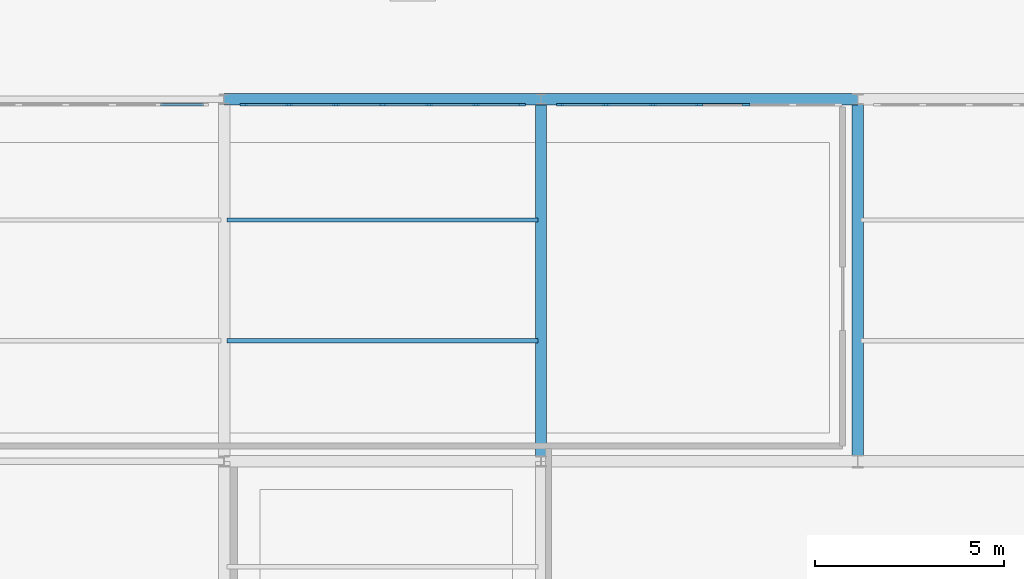
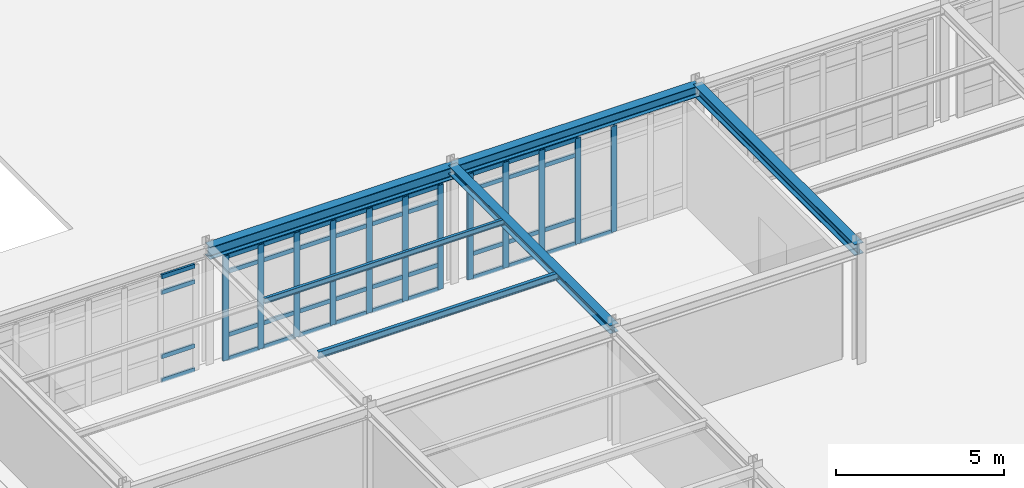
# One storey, part 34 of 101: 53 members, 6 beams, 3 elements without a shape of their own.
"""IFC4 building model written with IfcOpenShell, lengths in metres."""

from ifc_helpers import new_model, si_unit, derived_unit, direction, frame, origin, origin_2d, place, context, subcontext, project, spatial, rectangle, i_section, extrude, material, layer, layer_set, material_profile, profile_set, type_object, element, aggregate, save


model = new_model("IFC4")

# Units and contexts
model_context = context("Model", 3, precision=1e-05, world=origin(), true_north=direction((0.0, 1.0)))
body_context = subcontext(model_context, "Body", "Model", "MODEL_VIEW")
ifc_project = project(units=[si_unit("LENGTHUNIT", "METRE"), si_unit("AREAUNIT", "SQUARE_METRE"), si_unit("VOLUMEUNIT", "CUBIC_METRE"), si_unit("PLANEANGLEUNIT", "RADIAN"), si_unit("MASSUNIT", "GRAM", prefix="KILO"), derived_unit("THERMALTRANSMITTANCEUNIT", [(si_unit("POWERUNIT", "WATT"), 1), (si_unit("AREAUNIT", "SQUARE_METRE"), -1), (si_unit("THERMODYNAMICTEMPERATUREUNIT", "KELVIN"), -1)])], contexts=[model_context])

# Site, building, storey
site_placement = place(None, origin())
site = spatial("IfcSite", under=ifc_project, at=site_placement, CompositionType="ELEMENT")
building_placement = place(site_placement, origin())
building = spatial("IfcBuilding", under=site, at=building_placement, Name="Yasenodar Specialist Clinic", CompositionType="ELEMENT")
storey_placement = place(building_placement, origin())
storey = spatial("IfcBuildingStorey", under=building, at=storey_placement, Name="L00", CompositionType="ELEMENT", Elevation=0.0)

# Beams
ifc_material_1 = material(Name="Steel S355", Category="steel")
ifc_material_profile_1 = material_profile(ifc_material_1, i_section(OverallWidth=0.300048828125, OverallDepth=0.389892578125, WebThickness=0.010986328125, FlangeThickness=0.01904296875, FilletRadius=0.027099609375, at=origin_2d()), Name="HEA 400")
ifc_profile_set_1 = profile_set([ifc_material_profile_1], Name="Steel S355")
beam_type_1 = type_object("IfcBeamType", Name="BM-HEA400", PredefinedType="BEAM", material=ifc_profile_set_1)
beam_1_placement = place(storey_placement, frame((113.39990234375, 34.800048828125, 4.054931640625), z_axis=(1.0, 0.0, 0.0), x_axis=(0.0, 1.0, 0.0)))
element("IfcBeam", 1, at=beam_1_placement, inside=storey, type_object=beam_type_1, Name="L00 Primary E-W Girder", PredefinedType="BEAM", context=body_context, shape_type="SweptSolid", body=[
    extrude(i_section(OverallWidth=0.300048828125, OverallDepth=0.389892578125, WebThickness=0.010986328125, FlangeThickness=0.01904296875, FilletRadius=0.027099609375, at=origin_2d()), origin(), (0.0, 0.0, 1.0), 8.400146484375),
])
ifc_material_profile_2 = material_profile(ifc_material_1, i_section(OverallWidth=0.300048828125, OverallDepth=0.43994140625, WebThickness=0.011474609375, FlangeThickness=0.02099609375, FilletRadius=0.027099609375, at=origin_2d()), Name="HEA 450")
ifc_profile_set_2 = profile_set([ifc_material_profile_2], Name="Steel S355")
beam_type_2 = type_object("IfcBeamType", Name="BM-HEA450", PredefinedType="BEAM", material=ifc_profile_set_2)
beam_2_placement = place(storey_placement, frame((105.0, 34.800048828125, 4.030029296875), z_axis=(1.0, 0.0, 0.0), x_axis=(0.0, 1.0, 0.0)))
element("IfcBeam", 2, at=beam_2_placement, inside=storey, type_object=beam_type_2, Name="L00 Primary E-W Girder", PredefinedType="BEAM", context=body_context, shape_type="SweptSolid", body=[
    extrude(i_section(OverallWidth=0.300048828125, OverallDepth=0.43994140625, WebThickness=0.011474609375, FlangeThickness=0.02099609375, FilletRadius=0.027099609375, at=origin_2d()), origin(), (0.0, 0.0, 1.0), 8.39990234375),
])
ifc_material_profile_3 = material_profile(ifc_material_1, i_section(OverallWidth=0.300048828125, OverallDepth=0.300048828125, WebThickness=0.010986328125, FlangeThickness=0.01904296875, FilletRadius=0.027099609375, at=origin_2d()), Name="HEB 300")
ifc_profile_set_3 = profile_set([ifc_material_profile_3], Name="Steel S355")
beam_type_3 = type_object("IfcBeamType", Name="BM-HEB300", PredefinedType="BEAM", material=ifc_profile_set_3)
beam_3_placement = place(storey_placement, frame((113.39990234375, 25.199951171875, 4.10009765625), z_axis=(0.0, 1.0, 0.0), x_axis=(-1.0, 0.0, 0.0)))
element("IfcBeam", 3, at=beam_3_placement, inside=storey, type_object=beam_type_3, Name="L00 Primary N-S Girder", PredefinedType="BEAM", context=body_context, shape_type="SweptSolid", body=[
    extrude(i_section(OverallWidth=0.300048828125, OverallDepth=0.300048828125, WebThickness=0.010986328125, FlangeThickness=0.01904296875, FilletRadius=0.027099609375, at=origin_2d()), origin(), (0.0, 0.0, 1.0), 9.60009765625),
])
ifc_material_profile_4 = material_profile(ifc_material_1, i_section(OverallWidth=0.300048828125, OverallDepth=0.39990234375, WebThickness=0.013427734375, FlangeThickness=0.02392578125, FilletRadius=0.027099609375, at=origin_2d()), Name="HEB 400")
ifc_profile_set_4 = profile_set([ifc_material_profile_4], Name="Steel S355")
beam_type_4 = type_object("IfcBeamType", Name="BM-HEB400", PredefinedType="BEAM", material=ifc_profile_set_4)
beam_4_placement = place(storey_placement, frame((121.800048828125, 25.199951171875, 4.050048828125), z_axis=(0.0, 1.0, 0.0), x_axis=(-1.0, 0.0, 0.0)))
element("IfcBeam", 4, at=beam_4_placement, inside=storey, type_object=beam_type_4, Name="L00 Primary N-S Girder", PredefinedType="BEAM", context=body_context, shape_type="SweptSolid", body=[
    extrude(i_section(OverallWidth=0.300048828125, OverallDepth=0.39990234375, WebThickness=0.013427734375, FlangeThickness=0.02392578125, FilletRadius=0.027099609375, at=origin_2d()), origin(), (0.0, 0.0, 1.0), 9.60009765625),
])

# Curtain wall, members
ifc_material_2 = material(Name="Bronze Anodized Aluminium and Triple Low-E Glass", Category="aluminium")
ifc_layer = layer(ifc_material_2, 0.178955078125)
ifc_layer_set = layer_set([ifc_layer], Name="Bronze Anodized Aluminium and Triple Low-E Glass")
curtain_wall_type = type_object("IfcCurtainWallType", Name="CW-SYS-02", PredefinedType="USERDEFINED", material=ifc_layer_set)
curtain_wall_1_placement = place(storey_placement, origin())
curtain_wall_1 = element("IfcCurtainWall", 5, at=curtain_wall_1_placement, inside=storey, type_object=curtain_wall_type, Name="L00 Unitised Curtain Wall 082", ObjectType="UNITISED CURTAIN WALL", PredefinedType="USERDEFINED")
ifc_material_3 = material(Name="Bronze Anodized Aluminium", Category="aluminium")
ifc_material_profile_5 = material_profile(ifc_material_3, rectangle(XDim=0.070068359375, YDim=0.199951171875, at=origin_2d()), Name="CW-MULL 70x200")
ifc_profile_set_5 = profile_set([ifc_material_profile_5], Name="Bronze Anodized Aluminium")
member_type_1 = type_object("IfcMemberType", Name="CW-MULL-200", PredefinedType="MULLION", material=ifc_profile_set_5)
member_1_placement = place(storey_placement, frame((105.514892578125, 34.64990234375, 0.0), z_axis=(0.0, 0.0, 1.0), x_axis=(0.0, 1.0, 0.0)))
member_1 = element("IfcMember", 6, at=member_1_placement, type_object=member_type_1, Name="CW-02 mullion 1", PredefinedType="MULLION", context=body_context, shape_type="SweptSolid", body=[
    extrude(rectangle(XDim=0.070068359375, YDim=0.199951171875, at=origin_2d()), origin(), (0.0, 0.0, 1.0), 3.7880859375),
])
member_2_placement = place(storey_placement, frame((106.719970703125, 34.64990234375, 0.0), z_axis=(0.0, 0.0, 1.0), x_axis=(0.0, 1.0, 0.0)))
member_2 = element("IfcMember", 7, at=member_2_placement, type_object=member_type_1, Name="CW-02 mullion 2", PredefinedType="MULLION", context=body_context, shape_type="SweptSolid", body=[
    extrude(rectangle(XDim=0.070068359375, YDim=0.199951171875, at=origin_2d()), origin(), (0.0, 0.0, 1.0), 3.7880859375),
])
member_3_placement = place(storey_placement, frame((107.9599609375, 34.64990234375, 0.0), z_axis=(0.0, 0.0, 1.0), x_axis=(0.0, 1.0, 0.0)))
member_3 = element("IfcMember", 8, at=member_3_placement, type_object=member_type_1, Name="CW-02 mullion 3", PredefinedType="MULLION", context=body_context, shape_type="SweptSolid", body=[
    extrude(rectangle(XDim=0.070068359375, YDim=0.199951171875, at=origin_2d()), origin(), (0.0, 0.0, 1.0), 3.7880859375),
])
member_4_placement = place(storey_placement, frame((109.199951171875, 34.64990234375, 0.0), z_axis=(0.0, 0.0, 1.0), x_axis=(0.0, 1.0, 0.0)))
member_4 = element("IfcMember", 9, at=member_4_placement, type_object=member_type_1, Name="CW-02 mullion 4", PredefinedType="MULLION", context=body_context, shape_type="SweptSolid", body=[
    extrude(rectangle(XDim=0.070068359375, YDim=0.199951171875, at=origin_2d()), origin(), (0.0, 0.0, 1.0), 3.7880859375),
])
member_5_placement = place(storey_placement, frame((110.43994140625, 34.64990234375, 0.0), z_axis=(0.0, 0.0, 1.0), x_axis=(0.0, 1.0, 0.0)))
member_5 = element("IfcMember", 10, at=member_5_placement, type_object=member_type_1, Name="CW-02 mullion 5", PredefinedType="MULLION", context=body_context, shape_type="SweptSolid", body=[
    extrude(rectangle(XDim=0.070068359375, YDim=0.199951171875, at=origin_2d()), origin(), (0.0, 0.0, 1.0), 3.7880859375),
])
member_6_placement = place(storey_placement, frame((111.679931640625, 34.64990234375, 0.0), z_axis=(0.0, 0.0, 1.0), x_axis=(0.0, 1.0, 0.0)))
member_6 = element("IfcMember", 11, at=member_6_placement, type_object=member_type_1, Name="CW-02 mullion 6", PredefinedType="MULLION", context=body_context, shape_type="SweptSolid", body=[
    extrude(rectangle(XDim=0.070068359375, YDim=0.199951171875, at=origin_2d()), origin(), (0.0, 0.0, 1.0), 3.7880859375),
])
member_7_placement = place(storey_placement, frame((112.885009765625, 34.64990234375, 0.0), z_axis=(0.0, 0.0, 1.0), x_axis=(0.0, 1.0, 0.0)))
member_7 = element("IfcMember", 12, at=member_7_placement, type_object=member_type_1, Name="CW-02 mullion 7", PredefinedType="MULLION", context=body_context, shape_type="SweptSolid", body=[
    extrude(rectangle(XDim=0.070068359375, YDim=0.199951171875, at=origin_2d()), origin(), (0.0, 0.0, 1.0), 3.7880859375),
])

curtain_wall_2_placement = place(storey_placement, origin())
curtain_wall_2 = element("IfcCurtainWall", 13, at=curtain_wall_2_placement, inside=storey, type_object=curtain_wall_type, Name="L00 Unitised Curtain Wall 083", ObjectType="UNITISED CURTAIN WALL", PredefinedType="USERDEFINED")
member_8_placement = place(storey_placement, frame((113.9150390625, 34.64990234375, 0.0), z_axis=(0.0, 0.0, 1.0), x_axis=(0.0, 1.0, 0.0)))
member_8 = element("IfcMember", 14, at=member_8_placement, type_object=member_type_1, Name="CW-02 mullion 1", PredefinedType="MULLION", context=body_context, shape_type="SweptSolid", body=[
    extrude(rectangle(XDim=0.070068359375, YDim=0.199951171875, at=origin_2d()), origin(), (0.0, 0.0, 1.0), 3.837890625),
])
member_9_placement = place(storey_placement, frame((115.1201171875, 34.64990234375, 0.0), z_axis=(0.0, 0.0, 1.0), x_axis=(0.0, 1.0, 0.0)))
member_9 = element("IfcMember", 15, at=member_9_placement, type_object=member_type_1, Name="CW-02 mullion 2", PredefinedType="MULLION", context=body_context, shape_type="SweptSolid", body=[
    extrude(rectangle(XDim=0.070068359375, YDim=0.199951171875, at=origin_2d()), origin(), (0.0, 0.0, 1.0), 3.837890625),
])
member_10_placement = place(storey_placement, frame((116.360107421875, 34.64990234375, 0.0), z_axis=(0.0, 0.0, 1.0), x_axis=(0.0, 1.0, 0.0)))
member_10 = element("IfcMember", 16, at=member_10_placement, type_object=member_type_1, Name="CW-02 mullion 3", PredefinedType="MULLION", context=body_context, shape_type="SweptSolid", body=[
    extrude(rectangle(XDim=0.070068359375, YDim=0.199951171875, at=origin_2d()), origin(), (0.0, 0.0, 1.0), 3.837890625),
])
member_11_placement = place(storey_placement, frame((117.60009765625, 34.64990234375, 0.0), z_axis=(0.0, 0.0, 1.0), x_axis=(0.0, 1.0, 0.0)))
member_11 = element("IfcMember", 17, at=member_11_placement, type_object=member_type_1, Name="CW-02 mullion 4", PredefinedType="MULLION", context=body_context, shape_type="SweptSolid", body=[
    extrude(rectangle(XDim=0.070068359375, YDim=0.199951171875, at=origin_2d()), origin(), (0.0, 0.0, 1.0), 3.837890625),
])
member_12_placement = place(storey_placement, frame((118.840087890625, 34.64990234375, 0.0), z_axis=(0.0, 0.0, 1.0), x_axis=(0.0, 1.0, 0.0)))
member_12 = element("IfcMember", 18, at=member_12_placement, type_object=member_type_1, Name="CW-02 mullion 5", PredefinedType="MULLION", context=body_context, shape_type="SweptSolid", body=[
    extrude(rectangle(XDim=0.070068359375, YDim=0.199951171875, at=origin_2d()), origin(), (0.0, 0.0, 1.0), 3.837890625),
])

curtain_wall_3_placement = place(storey_placement, origin())
curtain_wall_3 = element("IfcCurtainWall", 19, at=curtain_wall_3_placement, inside=storey, type_object=curtain_wall_type, Name="L00 Unitised Curtain Wall 081", ObjectType="UNITISED CURTAIN WALL", PredefinedType="USERDEFINED")
ifc_material_profile_6 = material_profile(ifc_material_3, rectangle(XDim=0.070068359375, YDim=0.14990234375, at=origin_2d()), Name="CW-TRAN 70x150")
ifc_profile_set_6 = profile_set([ifc_material_profile_6], Name="Bronze Anodized Aluminium")
member_type_2 = type_object("IfcMemberType", Name="CW-TRAN-150", PredefinedType="USERDEFINED", material=ifc_profile_set_6)
member_13_placement = place(storey_placement, frame((103.31494140625, 34.64990234375, 0.034912109375), z_axis=(1.0, 0.0, 0.0), x_axis=(0.0, 1.0, 0.0)))
member_13 = element("IfcMember", 20, at=member_13_placement, type_object=member_type_2, Name="CW-02 transom 6.1", ObjectType="TRANSOM", PredefinedType="USERDEFINED", context=body_context, shape_type="SweptSolid", body=[
    extrude(rectangle(XDim=0.070068359375, YDim=0.14990234375, at=origin_2d()), origin(), (0.0, 0.0, 1.0), 1.135009765625),
])
member_14_placement = place(storey_placement, frame((103.31494140625, 34.64990234375, 0.89990234375), z_axis=(1.0, 0.0, 0.0), x_axis=(0.0, 1.0, 0.0)))
member_14 = element("IfcMember", 21, at=member_14_placement, type_object=member_type_2, Name="CW-02 transom 6.2", ObjectType="TRANSOM", PredefinedType="USERDEFINED", context=body_context, shape_type="SweptSolid", body=[
    extrude(rectangle(XDim=0.070068359375, YDim=0.14990234375, at=origin_2d()), origin(), (0.0, 0.0, 1.0), 1.135009765625),
])
member_15_placement = place(storey_placement, frame((103.31494140625, 34.64990234375, 3.22802734375), z_axis=(1.0, 0.0, 0.0), x_axis=(0.0, 1.0, 0.0)))
member_15 = element("IfcMember", 22, at=member_15_placement, type_object=member_type_2, Name="CW-02 transom 6.3", ObjectType="TRANSOM", PredefinedType="USERDEFINED", context=body_context, shape_type="SweptSolid", body=[
    extrude(rectangle(XDim=0.070068359375, YDim=0.14990234375, at=origin_2d()), origin(), (0.0, 0.0, 1.0), 1.135009765625),
])
member_16_placement = place(storey_placement, frame((103.31494140625, 34.64990234375, 3.79296875), z_axis=(1.0, 0.0, 0.0), x_axis=(0.0, 1.0, 0.0)))
member_16 = element("IfcMember", 23, at=member_16_placement, type_object=member_type_2, Name="CW-02 transom 6.4", ObjectType="TRANSOM", PredefinedType="USERDEFINED", context=body_context, shape_type="SweptSolid", body=[
    extrude(rectangle(XDim=0.070068359375, YDim=0.14990234375, at=origin_2d()), origin(), (0.0, 0.0, 1.0), 1.135009765625),
])
aggregate(curtain_wall_3, [member_13, member_14, member_15, member_16])

# Member
member_17_placement = place(storey_placement, frame((105.550048828125, 34.64990234375, 0.034912109375), z_axis=(1.0, 0.0, 0.0), x_axis=(0.0, 1.0, 0.0)))
member_17 = element("IfcMember", 24, at=member_17_placement, type_object=member_type_2, Name="CW-02 transom 1.1", ObjectType="TRANSOM", PredefinedType="USERDEFINED", context=body_context, shape_type="SweptSolid", body=[
    extrude(rectangle(XDim=0.070068359375, YDim=0.14990234375, at=origin_2d()), origin(), (0.0, 0.0, 1.0), 1.135009765625),
])

member_18_placement = place(storey_placement, frame((105.550048828125, 34.64990234375, 0.89990234375), z_axis=(1.0, 0.0, 0.0), x_axis=(0.0, 1.0, 0.0)))
member_18 = element("IfcMember", 25, at=member_18_placement, type_object=member_type_2, Name="CW-02 transom 1.2", ObjectType="TRANSOM", PredefinedType="USERDEFINED", context=body_context, shape_type="SweptSolid", body=[
    extrude(rectangle(XDim=0.070068359375, YDim=0.14990234375, at=origin_2d()), origin(), (0.0, 0.0, 1.0), 1.135009765625),
])

member_19_placement = place(storey_placement, frame((105.550048828125, 34.64990234375, 3.18798828125), z_axis=(1.0, 0.0, 0.0), x_axis=(0.0, 1.0, 0.0)))
member_19 = element("IfcMember", 26, at=member_19_placement, type_object=member_type_2, Name="CW-02 transom 1.3", ObjectType="TRANSOM", PredefinedType="USERDEFINED", context=body_context, shape_type="SweptSolid", body=[
    extrude(rectangle(XDim=0.070068359375, YDim=0.14990234375, at=origin_2d()), origin(), (0.0, 0.0, 1.0), 1.135009765625),
])

member_20_placement = place(storey_placement, frame((105.550048828125, 34.64990234375, 3.7529296875), z_axis=(1.0, 0.0, 0.0), x_axis=(0.0, 1.0, 0.0)))
member_20 = element("IfcMember", 27, at=member_20_placement, type_object=member_type_2, Name="CW-02 transom 1.4", ObjectType="TRANSOM", PredefinedType="USERDEFINED", context=body_context, shape_type="SweptSolid", body=[
    extrude(rectangle(XDim=0.070068359375, YDim=0.14990234375, at=origin_2d()), origin(), (0.0, 0.0, 1.0), 1.135009765625),
])

member_21_placement = place(storey_placement, frame((106.7548828125, 34.64990234375, 0.034912109375), z_axis=(1.0, 0.0, 0.0), x_axis=(0.0, 1.0, 0.0)))
member_21 = element("IfcMember", 28, at=member_21_placement, type_object=member_type_2, Name="CW-02 transom 2.1", ObjectType="TRANSOM", PredefinedType="USERDEFINED", context=body_context, shape_type="SweptSolid", body=[
    extrude(rectangle(XDim=0.070068359375, YDim=0.14990234375, at=origin_2d()), origin(), (0.0, 0.0, 1.0), 1.170166015625),
])

member_22_placement = place(storey_placement, frame((106.7548828125, 34.64990234375, 0.89990234375), z_axis=(1.0, 0.0, 0.0), x_axis=(0.0, 1.0, 0.0)))
member_22 = element("IfcMember", 29, at=member_22_placement, type_object=member_type_2, Name="CW-02 transom 2.2", ObjectType="TRANSOM", PredefinedType="USERDEFINED", context=body_context, shape_type="SweptSolid", body=[
    extrude(rectangle(XDim=0.070068359375, YDim=0.14990234375, at=origin_2d()), origin(), (0.0, 0.0, 1.0), 1.170166015625),
])

member_23_placement = place(storey_placement, frame((106.7548828125, 34.64990234375, 3.18798828125), z_axis=(1.0, 0.0, 0.0), x_axis=(0.0, 1.0, 0.0)))
member_23 = element("IfcMember", 30, at=member_23_placement, type_object=member_type_2, Name="CW-02 transom 2.3", ObjectType="TRANSOM", PredefinedType="USERDEFINED", context=body_context, shape_type="SweptSolid", body=[
    extrude(rectangle(XDim=0.070068359375, YDim=0.14990234375, at=origin_2d()), origin(), (0.0, 0.0, 1.0), 1.170166015625),
])

member_24_placement = place(storey_placement, frame((106.7548828125, 34.64990234375, 3.7529296875), z_axis=(1.0, 0.0, 0.0), x_axis=(0.0, 1.0, 0.0)))
member_24 = element("IfcMember", 31, at=member_24_placement, type_object=member_type_2, Name="CW-02 transom 2.4", ObjectType="TRANSOM", PredefinedType="USERDEFINED", context=body_context, shape_type="SweptSolid", body=[
    extrude(rectangle(XDim=0.070068359375, YDim=0.14990234375, at=origin_2d()), origin(), (0.0, 0.0, 1.0), 1.170166015625),
])

member_25_placement = place(storey_placement, frame((107.9951171875, 34.64990234375, 0.034912109375), z_axis=(1.0, 0.0, 0.0), x_axis=(0.0, 1.0, 0.0)))
member_25 = element("IfcMember", 32, at=member_25_placement, type_object=member_type_2, Name="CW-02 transom 3.1", ObjectType="TRANSOM", PredefinedType="USERDEFINED", context=body_context, shape_type="SweptSolid", body=[
    extrude(rectangle(XDim=0.070068359375, YDim=0.14990234375, at=origin_2d()), origin(), (0.0, 0.0, 1.0), 1.169921875),
])

member_26_placement = place(storey_placement, frame((107.9951171875, 34.64990234375, 0.89990234375), z_axis=(1.0, 0.0, 0.0), x_axis=(0.0, 1.0, 0.0)))
member_26 = element("IfcMember", 33, at=member_26_placement, type_object=member_type_2, Name="CW-02 transom 3.2", ObjectType="TRANSOM", PredefinedType="USERDEFINED", context=body_context, shape_type="SweptSolid", body=[
    extrude(rectangle(XDim=0.070068359375, YDim=0.14990234375, at=origin_2d()), origin(), (0.0, 0.0, 1.0), 1.169921875),
])

member_27_placement = place(storey_placement, frame((107.9951171875, 34.64990234375, 3.18798828125), z_axis=(1.0, 0.0, 0.0), x_axis=(0.0, 1.0, 0.0)))
member_27 = element("IfcMember", 34, at=member_27_placement, type_object=member_type_2, Name="CW-02 transom 3.3", ObjectType="TRANSOM", PredefinedType="USERDEFINED", context=body_context, shape_type="SweptSolid", body=[
    extrude(rectangle(XDim=0.070068359375, YDim=0.14990234375, at=origin_2d()), origin(), (0.0, 0.0, 1.0), 1.169921875),
])

member_28_placement = place(storey_placement, frame((107.9951171875, 34.64990234375, 3.7529296875), z_axis=(1.0, 0.0, 0.0), x_axis=(0.0, 1.0, 0.0)))
member_28 = element("IfcMember", 35, at=member_28_placement, type_object=member_type_2, Name="CW-02 transom 3.4", ObjectType="TRANSOM", PredefinedType="USERDEFINED", context=body_context, shape_type="SweptSolid", body=[
    extrude(rectangle(XDim=0.070068359375, YDim=0.14990234375, at=origin_2d()), origin(), (0.0, 0.0, 1.0), 1.169921875),
])

member_29_placement = place(storey_placement, frame((109.235107421875, 34.64990234375, 0.034912109375), z_axis=(1.0, 0.0, 0.0), x_axis=(0.0, 1.0, 0.0)))
member_29 = element("IfcMember", 36, at=member_29_placement, type_object=member_type_2, Name="CW-02 transom 4.1", ObjectType="TRANSOM", PredefinedType="USERDEFINED", context=body_context, shape_type="SweptSolid", body=[
    extrude(rectangle(XDim=0.070068359375, YDim=0.14990234375, at=origin_2d()), origin(), (0.0, 0.0, 1.0), 1.169921875),
])

member_30_placement = place(storey_placement, frame((109.235107421875, 34.64990234375, 0.89990234375), z_axis=(1.0, 0.0, 0.0), x_axis=(0.0, 1.0, 0.0)))
member_30 = element("IfcMember", 37, at=member_30_placement, type_object=member_type_2, Name="CW-02 transom 4.2", ObjectType="TRANSOM", PredefinedType="USERDEFINED", context=body_context, shape_type="SweptSolid", body=[
    extrude(rectangle(XDim=0.070068359375, YDim=0.14990234375, at=origin_2d()), origin(), (0.0, 0.0, 1.0), 1.169921875),
])

member_31_placement = place(storey_placement, frame((109.235107421875, 34.64990234375, 3.18798828125), z_axis=(1.0, 0.0, 0.0), x_axis=(0.0, 1.0, 0.0)))
member_31 = element("IfcMember", 38, at=member_31_placement, type_object=member_type_2, Name="CW-02 transom 4.3", ObjectType="TRANSOM", PredefinedType="USERDEFINED", context=body_context, shape_type="SweptSolid", body=[
    extrude(rectangle(XDim=0.070068359375, YDim=0.14990234375, at=origin_2d()), origin(), (0.0, 0.0, 1.0), 1.169921875),
])

member_32_placement = place(storey_placement, frame((109.235107421875, 34.64990234375, 3.7529296875), z_axis=(1.0, 0.0, 0.0), x_axis=(0.0, 1.0, 0.0)))
member_32 = element("IfcMember", 39, at=member_32_placement, type_object=member_type_2, Name="CW-02 transom 4.4", ObjectType="TRANSOM", PredefinedType="USERDEFINED", context=body_context, shape_type="SweptSolid", body=[
    extrude(rectangle(XDim=0.070068359375, YDim=0.14990234375, at=origin_2d()), origin(), (0.0, 0.0, 1.0), 1.169921875),
])

member_33_placement = place(storey_placement, frame((110.47509765625, 34.64990234375, 0.034912109375), z_axis=(1.0, 0.0, 0.0), x_axis=(0.0, 1.0, 0.0)))
member_33 = element("IfcMember", 40, at=member_33_placement, type_object=member_type_2, Name="CW-02 transom 5.1", ObjectType="TRANSOM", PredefinedType="USERDEFINED", context=body_context, shape_type="SweptSolid", body=[
    extrude(rectangle(XDim=0.070068359375, YDim=0.14990234375, at=origin_2d()), origin(), (0.0, 0.0, 1.0), 1.169921875),
])

member_34_placement = place(storey_placement, frame((110.47509765625, 34.64990234375, 0.89990234375), z_axis=(1.0, 0.0, 0.0), x_axis=(0.0, 1.0, 0.0)))
member_34 = element("IfcMember", 41, at=member_34_placement, type_object=member_type_2, Name="CW-02 transom 5.2", ObjectType="TRANSOM", PredefinedType="USERDEFINED", context=body_context, shape_type="SweptSolid", body=[
    extrude(rectangle(XDim=0.070068359375, YDim=0.14990234375, at=origin_2d()), origin(), (0.0, 0.0, 1.0), 1.169921875),
])

member_35_placement = place(storey_placement, frame((110.47509765625, 34.64990234375, 3.18798828125), z_axis=(1.0, 0.0, 0.0), x_axis=(0.0, 1.0, 0.0)))
member_35 = element("IfcMember", 42, at=member_35_placement, type_object=member_type_2, Name="CW-02 transom 5.3", ObjectType="TRANSOM", PredefinedType="USERDEFINED", context=body_context, shape_type="SweptSolid", body=[
    extrude(rectangle(XDim=0.070068359375, YDim=0.14990234375, at=origin_2d()), origin(), (0.0, 0.0, 1.0), 1.169921875),
])

member_36_placement = place(storey_placement, frame((110.47509765625, 34.64990234375, 3.7529296875), z_axis=(1.0, 0.0, 0.0), x_axis=(0.0, 1.0, 0.0)))
member_36 = element("IfcMember", 43, at=member_36_placement, type_object=member_type_2, Name="CW-02 transom 5.4", ObjectType="TRANSOM", PredefinedType="USERDEFINED", context=body_context, shape_type="SweptSolid", body=[
    extrude(rectangle(XDim=0.070068359375, YDim=0.14990234375, at=origin_2d()), origin(), (0.0, 0.0, 1.0), 1.169921875),
])

member_37_placement = place(storey_placement, frame((111.715087890625, 34.64990234375, 0.034912109375), z_axis=(1.0, 0.0, 0.0), x_axis=(0.0, 1.0, 0.0)))
member_37 = element("IfcMember", 44, at=member_37_placement, type_object=member_type_2, Name="CW-02 transom 6.1", ObjectType="TRANSOM", PredefinedType="USERDEFINED", context=body_context, shape_type="SweptSolid", body=[
    extrude(rectangle(XDim=0.070068359375, YDim=0.14990234375, at=origin_2d()), origin(), (0.0, 0.0, 1.0), 1.135009765625),
])

member_38_placement = place(storey_placement, frame((111.715087890625, 34.64990234375, 0.89990234375), z_axis=(1.0, 0.0, 0.0), x_axis=(0.0, 1.0, 0.0)))
member_38 = element("IfcMember", 45, at=member_38_placement, type_object=member_type_2, Name="CW-02 transom 6.2", ObjectType="TRANSOM", PredefinedType="USERDEFINED", context=body_context, shape_type="SweptSolid", body=[
    extrude(rectangle(XDim=0.070068359375, YDim=0.14990234375, at=origin_2d()), origin(), (0.0, 0.0, 1.0), 1.135009765625),
])

member_39_placement = place(storey_placement, frame((111.715087890625, 34.64990234375, 3.18798828125), z_axis=(1.0, 0.0, 0.0), x_axis=(0.0, 1.0, 0.0)))
member_39 = element("IfcMember", 46, at=member_39_placement, type_object=member_type_2, Name="CW-02 transom 6.3", ObjectType="TRANSOM", PredefinedType="USERDEFINED", context=body_context, shape_type="SweptSolid", body=[
    extrude(rectangle(XDim=0.070068359375, YDim=0.14990234375, at=origin_2d()), origin(), (0.0, 0.0, 1.0), 1.135009765625),
])

member_40_placement = place(storey_placement, frame((111.715087890625, 34.64990234375, 3.7529296875), z_axis=(1.0, 0.0, 0.0), x_axis=(0.0, 1.0, 0.0)))
member_40 = element("IfcMember", 47, at=member_40_placement, type_object=member_type_2, Name="CW-02 transom 6.4", ObjectType="TRANSOM", PredefinedType="USERDEFINED", context=body_context, shape_type="SweptSolid", body=[
    extrude(rectangle(XDim=0.070068359375, YDim=0.14990234375, at=origin_2d()), origin(), (0.0, 0.0, 1.0), 1.135009765625),
])

aggregate(curtain_wall_1, [member_1, member_2, member_3, member_4, member_5, member_6, member_7, member_17, member_18, member_19, member_20, member_21, member_22, member_23, member_24, member_25, member_26, member_27, member_28, member_29, member_30, member_31, member_32, member_33, member_34, member_35, member_36, member_37, member_38, member_39, member_40])

member_41_placement = place(storey_placement, frame((113.949951171875, 34.64990234375, 0.034912109375), z_axis=(1.0, 0.0, 0.0), x_axis=(0.0, 1.0, 0.0)))
member_41 = element("IfcMember", 48, at=member_41_placement, type_object=member_type_2, Name="CW-02 transom 1.1", ObjectType="TRANSOM", PredefinedType="USERDEFINED", context=body_context, shape_type="SweptSolid", body=[
    extrude(rectangle(XDim=0.070068359375, YDim=0.14990234375, at=origin_2d()), origin(), (0.0, 0.0, 1.0), 1.135009765625),
])

member_42_placement = place(storey_placement, frame((113.949951171875, 34.64990234375, 0.89990234375), z_axis=(1.0, 0.0, 0.0), x_axis=(0.0, 1.0, 0.0)))
member_42 = element("IfcMember", 49, at=member_42_placement, type_object=member_type_2, Name="CW-02 transom 1.2", ObjectType="TRANSOM", PredefinedType="USERDEFINED", context=body_context, shape_type="SweptSolid", body=[
    extrude(rectangle(XDim=0.070068359375, YDim=0.14990234375, at=origin_2d()), origin(), (0.0, 0.0, 1.0), 1.135009765625),
])

member_43_placement = place(storey_placement, frame((113.949951171875, 34.64990234375, 3.238037109375), z_axis=(1.0, 0.0, 0.0), x_axis=(0.0, 1.0, 0.0)))
member_43 = element("IfcMember", 50, at=member_43_placement, type_object=member_type_2, Name="CW-02 transom 1.3", ObjectType="TRANSOM", PredefinedType="USERDEFINED", context=body_context, shape_type="SweptSolid", body=[
    extrude(rectangle(XDim=0.070068359375, YDim=0.14990234375, at=origin_2d()), origin(), (0.0, 0.0, 1.0), 1.135009765625),
])

member_44_placement = place(storey_placement, frame((113.949951171875, 34.64990234375, 3.802978515625), z_axis=(1.0, 0.0, 0.0), x_axis=(0.0, 1.0, 0.0)))
member_44 = element("IfcMember", 51, at=member_44_placement, type_object=member_type_2, Name="CW-02 transom 1.4", ObjectType="TRANSOM", PredefinedType="USERDEFINED", context=body_context, shape_type="SweptSolid", body=[
    extrude(rectangle(XDim=0.070068359375, YDim=0.14990234375, at=origin_2d()), origin(), (0.0, 0.0, 1.0), 1.135009765625),
])

member_45_placement = place(storey_placement, frame((115.155029296875, 34.64990234375, 0.034912109375), z_axis=(1.0, 0.0, 0.0), x_axis=(0.0, 1.0, 0.0)))
member_45 = element("IfcMember", 52, at=member_45_placement, type_object=member_type_2, Name="CW-02 transom 2.1", ObjectType="TRANSOM", PredefinedType="USERDEFINED", context=body_context, shape_type="SweptSolid", body=[
    extrude(rectangle(XDim=0.070068359375, YDim=0.14990234375, at=origin_2d()), origin(), (0.0, 0.0, 1.0), 1.169921875),
])

member_46_placement = place(storey_placement, frame((115.155029296875, 34.64990234375, 0.89990234375), z_axis=(1.0, 0.0, 0.0), x_axis=(0.0, 1.0, 0.0)))
member_46 = element("IfcMember", 53, at=member_46_placement, type_object=member_type_2, Name="CW-02 transom 2.2", ObjectType="TRANSOM", PredefinedType="USERDEFINED", context=body_context, shape_type="SweptSolid", body=[
    extrude(rectangle(XDim=0.070068359375, YDim=0.14990234375, at=origin_2d()), origin(), (0.0, 0.0, 1.0), 1.169921875),
])

member_47_placement = place(storey_placement, frame((115.155029296875, 34.64990234375, 3.238037109375), z_axis=(1.0, 0.0, 0.0), x_axis=(0.0, 1.0, 0.0)))
member_47 = element("IfcMember", 54, at=member_47_placement, type_object=member_type_2, Name="CW-02 transom 2.3", ObjectType="TRANSOM", PredefinedType="USERDEFINED", context=body_context, shape_type="SweptSolid", body=[
    extrude(rectangle(XDim=0.070068359375, YDim=0.14990234375, at=origin_2d()), origin(), (0.0, 0.0, 1.0), 1.169921875),
])

member_48_placement = place(storey_placement, frame((115.155029296875, 34.64990234375, 3.802978515625), z_axis=(1.0, 0.0, 0.0), x_axis=(0.0, 1.0, 0.0)))
member_48 = element("IfcMember", 55, at=member_48_placement, type_object=member_type_2, Name="CW-02 transom 2.4", ObjectType="TRANSOM", PredefinedType="USERDEFINED", context=body_context, shape_type="SweptSolid", body=[
    extrude(rectangle(XDim=0.070068359375, YDim=0.14990234375, at=origin_2d()), origin(), (0.0, 0.0, 1.0), 1.169921875),
])

member_49_placement = place(storey_placement, frame((116.39501953125, 34.64990234375, 0.034912109375), z_axis=(1.0, 0.0, 0.0), x_axis=(0.0, 1.0, 0.0)))
member_49 = element("IfcMember", 56, at=member_49_placement, type_object=member_type_2, Name="CW-02 transom 3.1", ObjectType="TRANSOM", PredefinedType="USERDEFINED", context=body_context, shape_type="SweptSolid", body=[
    extrude(rectangle(XDim=0.070068359375, YDim=0.14990234375, at=origin_2d()), origin(), (0.0, 0.0, 1.0), 1.169921875),
])

member_50_placement = place(storey_placement, frame((116.39501953125, 34.64990234375, 0.89990234375), z_axis=(1.0, 0.0, 0.0), x_axis=(0.0, 1.0, 0.0)))
member_50 = element("IfcMember", 57, at=member_50_placement, type_object=member_type_2, Name="CW-02 transom 3.2", ObjectType="TRANSOM", PredefinedType="USERDEFINED", context=body_context, shape_type="SweptSolid", body=[
    extrude(rectangle(XDim=0.070068359375, YDim=0.14990234375, at=origin_2d()), origin(), (0.0, 0.0, 1.0), 1.169921875),
])

member_51_placement = place(storey_placement, frame((116.39501953125, 34.64990234375, 3.238037109375), z_axis=(1.0, 0.0, 0.0), x_axis=(0.0, 1.0, 0.0)))
member_51 = element("IfcMember", 58, at=member_51_placement, type_object=member_type_2, Name="CW-02 transom 3.3", ObjectType="TRANSOM", PredefinedType="USERDEFINED", context=body_context, shape_type="SweptSolid", body=[
    extrude(rectangle(XDim=0.070068359375, YDim=0.14990234375, at=origin_2d()), origin(), (0.0, 0.0, 1.0), 1.169921875),
])

member_52_placement = place(storey_placement, frame((116.39501953125, 34.64990234375, 3.802978515625), z_axis=(1.0, 0.0, 0.0), x_axis=(0.0, 1.0, 0.0)))
member_52 = element("IfcMember", 59, at=member_52_placement, type_object=member_type_2, Name="CW-02 transom 3.4", ObjectType="TRANSOM", PredefinedType="USERDEFINED", context=body_context, shape_type="SweptSolid", body=[
    extrude(rectangle(XDim=0.070068359375, YDim=0.14990234375, at=origin_2d()), origin(), (0.0, 0.0, 1.0), 1.169921875),
])

member_53_placement = place(storey_placement, frame((117.635009765625, 34.64990234375, 0.034912109375), z_axis=(1.0, 0.0, 0.0), x_axis=(0.0, 1.0, 0.0)))
member_53 = element("IfcMember", 60, at=member_53_placement, type_object=member_type_2, Name="CW-02 transom 4.1", ObjectType="TRANSOM", PredefinedType="USERDEFINED", context=body_context, shape_type="SweptSolid", body=[
    extrude(rectangle(XDim=0.070068359375, YDim=0.14990234375, at=origin_2d()), origin(), (0.0, 0.0, 1.0), 1.169921875),
])

aggregate(curtain_wall_2, [member_8, member_9, member_10, member_11, member_12, member_41, member_42, member_43, member_44, member_45, member_46, member_47, member_48, member_49, member_50, member_51, member_52, member_53])

# Beams
ifc_material_profile_7 = material_profile(ifc_material_1, i_section(OverallWidth=0.10009765625, OverallDepth=0.199951171875, WebThickness=0.005615234375, FlangeThickness=0.008544921875, FilletRadius=0.011962890625, at=origin_2d()), Name="IPE 200")
ifc_profile_set_7 = profile_set([ifc_material_profile_7], Name="Steel S355")
beam_type_5 = type_object("IfcBeamType", Name="JS-IPE200", PredefinedType="JOIST", material=ifc_profile_set_7)
beam_5_placement = place(storey_placement, frame((105.080078125, 31.60009765625, 4.14990234375), z_axis=(1.0, 0.0, 0.0), x_axis=(0.0, 1.0, 0.0)))
element("IfcBeam", 61, at=beam_5_placement, inside=storey, type_object=beam_type_5, Name="L00 Composite Floor Joist", PredefinedType="JOIST", context=body_context, shape_type="SweptSolid", body=[
    extrude(i_section(OverallWidth=0.10009765625, OverallDepth=0.199951171875, WebThickness=0.005615234375, FlangeThickness=0.008544921875, FilletRadius=0.011962890625, at=origin_2d()), origin(), (0.0, 0.0, 1.0), 8.239990234375),
])
ifc_material_profile_8 = material_profile(ifc_material_1, i_section(OverallWidth=0.1201171875, OverallDepth=0.239990234375, WebThickness=0.006103515625, FlangeThickness=0.009765625, FilletRadius=0.014892578125, at=origin_2d()), Name="IPE 240")
ifc_profile_set_8 = profile_set([ifc_material_profile_8], Name="Steel S355")
beam_type_6 = type_object("IfcBeamType", Name="JS-IPE240", PredefinedType="JOIST", material=ifc_profile_set_8)
beam_6_placement = place(storey_placement, frame((105.080078125, 28.39990234375, 4.1298828125), z_axis=(1.0, 0.0, 0.0), x_axis=(0.0, 1.0, 0.0)))
element("IfcBeam", 62, at=beam_6_placement, inside=storey, type_object=beam_type_6, Name="L00 Composite Floor Joist", PredefinedType="JOIST", context=body_context, shape_type="SweptSolid", body=[
    extrude(i_section(OverallWidth=0.1201171875, OverallDepth=0.239990234375, WebThickness=0.006103515625, FlangeThickness=0.009765625, FilletRadius=0.014892578125, at=origin_2d()), origin(), (0.0, 0.0, 1.0), 8.239990234375),
])

save(model, "model.ifc")
